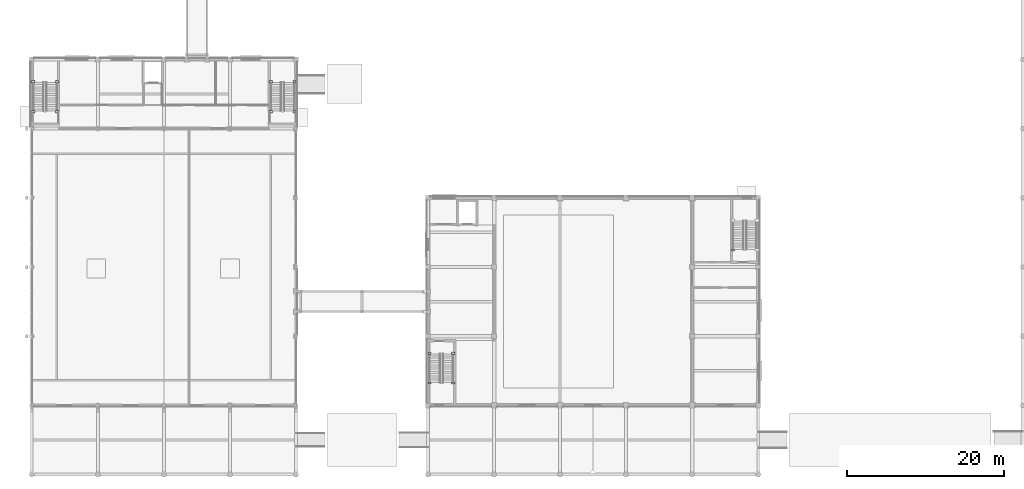
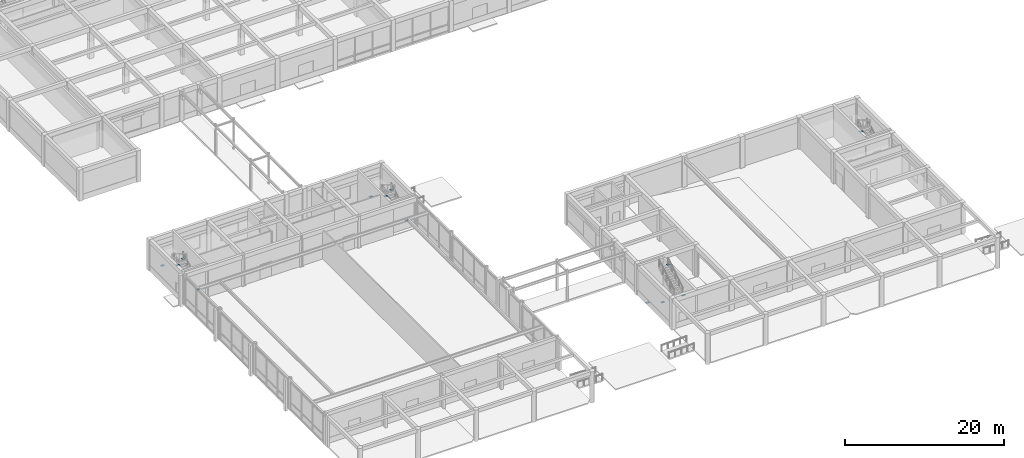
# One storey, part 29 of 58: 13 plates.
"""IFC4 building model written with IfcOpenShell, lengths in metres."""

from ifc_helpers import new_model, si_unit, direction, frame, origin, origin_2d, place, context, subcontext, project, spatial, rectangle, extrude, material, layer, layer_set, type_object, element, save


model = new_model("IFC4")

# Units and contexts
model_context = context("Model", 3, precision=1e-05, world=origin(), true_north=direction((0.0, 1.0)))
body_context = subcontext(model_context, "Body", "Model", "MODEL_VIEW")
ifc_project = project(units=[si_unit("LENGTHUNIT", "METRE"), si_unit("AREAUNIT", "SQUARE_METRE"), si_unit("VOLUMEUNIT", "CUBIC_METRE"), si_unit("PLANEANGLEUNIT", "RADIAN"), si_unit("MASSUNIT", "GRAM", prefix="KILO")], contexts=[model_context])

# Site, building, storey
site_placement = place(None, origin())
site = spatial("IfcSite", under=ifc_project, at=site_placement, CompositionType="ELEMENT")
building_placement = place(site_placement, origin())
building = spatial("IfcBuilding", under=site, at=building_placement, Name="Kemercrest Conservatory and Botanical Centre", CompositionType="ELEMENT")
storey_placement = place(building_placement, origin())
storey = spatial("IfcBuildingStorey", under=building, at=storey_placement, Name="L00", CompositionType="ELEMENT", Elevation=0.0)

# Plates
ifc_material = material(Name="Steel CSA G40.21 350W", Category="steel")
ifc_layer = layer(ifc_material, 0.030029296875)
ifc_layer_set = layer_set([ifc_layer], Name="Steel CSA G40.21 350W")
plate_type = type_object("IfcPlateType", Name="GN-05", PredefinedType="USERDEFINED", material=ifc_layer_set)
for number, where, z_axis, x_axis, name in (
    (1, (11.2099609375, 54.159912109375, -0.115234375), (0.0, 0.0, 1.0), (1.0, 0.0, 0.0), "Stair stringer base node cap GN-05 #3"),
    (2, (11.2099609375, 57.9599609375, 2.26513671875), (0.0, 0.0, 1.0), (1.0, 0.0, 0.0), "Stair stringer head node cap GN-05 #3"),
    (3, (8.18994140625, 54.159912109375, 4.6650390625), (0.0, 0.0, 1.0), (1.0, 0.0, 0.0), "Stair stringer base node cap GN-05 #4"),
    (4, (8.18994140625, 57.9599609375, 2.28515625), (0.0, 0.0, 1.0), (1.0, 0.0, 0.0), "Stair stringer head node cap GN-05 #4"),
    (5, (41.409912109375, 54.159912109375, -0.115234375), (0.0, 0.0, 1.0), (1.0, 0.0, 0.0), "Stair stringer base node cap GN-05 #7"),
    (6, (41.409912109375, 57.9599609375, 2.26513671875), (0.0, 0.0, 1.0), (1.0, 0.0, 0.0), "Stair stringer head node cap GN-05 #7"),
    (7, (38.389892578125, 54.159912109375, 4.6650390625), (0.0, 0.0, 1.0), (1.0, 0.0, 0.0), "Stair stringer base node cap GN-05 #8"),
    (8, (38.389892578125, 57.9599609375, 2.28515625), (0.0, 0.0, 1.0), (1.0, 0.0, 0.0), "Stair stringer head node cap GN-05 #8"),
    (9, (58.590087890625, 23.43994140625, -0.115234375), (0.0, 0.0, 1.0), (1.0, 0.0, 0.0), "Stair stringer base node cap GN-05 #11"),
    (10, (58.590087890625, 19.639892578125, 2.26513671875), (0.0, 0.0, 1.0), (1.0, 0.0, 0.0), "Stair stringer head node cap GN-05 #11"),
    (11, (61.610107421875, 23.43994140625, 4.6650390625), (0.0, 0.0, 1.0), (1.0, 0.0, 0.0), "Stair stringer base node cap GN-05 #12"),
    (12, (61.610107421875, 19.639892578125, 2.28515625), (0.0, 0.0, 1.0), (1.0, 0.0, 0.0), "Stair stringer head node cap GN-05 #12"),
    (13, (97.18994140625, 36.56005859375, 4.6650390625), (0.0, 0.0, 1.0), (1.0, 0.0, 0.0), "Stair stringer base node cap GN-05 #18"),
):
    element("IfcPlate", number, at=place(storey_placement, frame(where, z_axis=z_axis, x_axis=x_axis)), inside=storey, type_object=plate_type, Name=name, ObjectType="GUSSET PLATE", PredefinedType="USERDEFINED", context=body_context, shape_type="SweptSolid", body=[
        extrude(rectangle(XDim=0.39990234375, YDim=0.280029296875, at=origin_2d()), origin(), (0.0, 0.0, 1.0), 0.030029296875),
    ])

save(model, "model.ifc")
